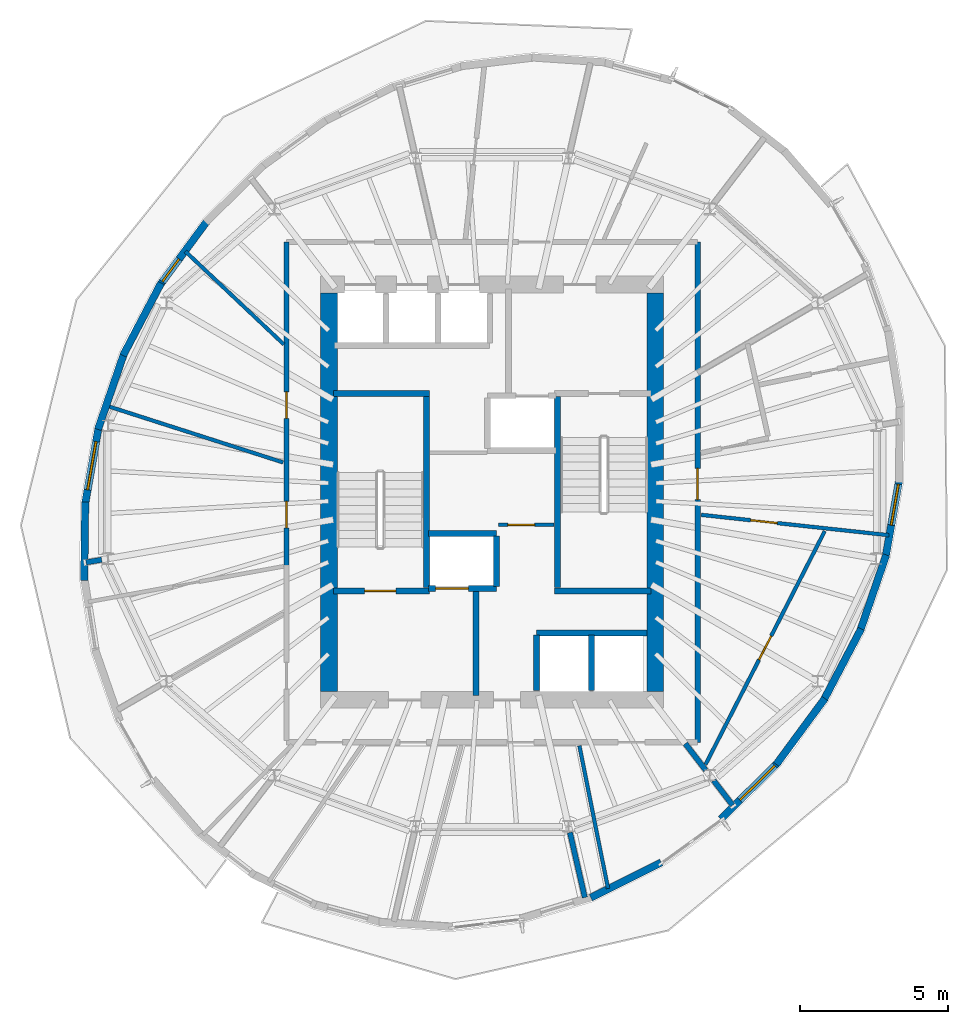
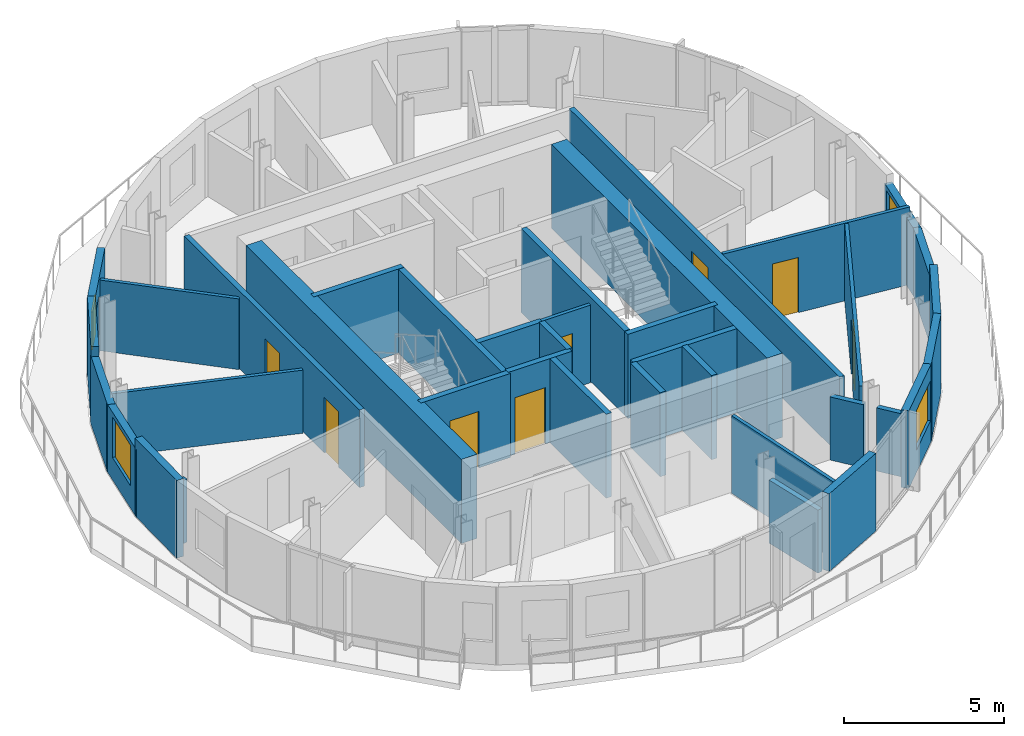
# One storey, part 5 of 9: 37 walls, 8 doors, 4 windows, 12 openings.
"""IFC4 building model written with IfcOpenShell, lengths in metres."""

from ifc_helpers import new_model, si_unit, direction, frame, frame_2d, origin, place, context, subcontext, project, spatial, rectangle, extrude, material, layer, layer_set, type_object, element, fill, save


model = new_model("IFC4")

# Units and contexts
model_context = context("Model", 3, precision=1e-05, world=origin(), true_north=direction((0.0, 1.0)))
body_context = subcontext(model_context, "Body", "Model", "MODEL_VIEW")
ifc_project = project(units=[si_unit("LENGTHUNIT", "METRE"), si_unit("AREAUNIT", "SQUARE_METRE"), si_unit("VOLUMEUNIT", "CUBIC_METRE"), si_unit("PLANEANGLEUNIT", "RADIAN"), si_unit("MASSUNIT", "GRAM", prefix="KILO")], contexts=[model_context])

# Site, building, storey
site_placement = place(None, origin())
site = spatial("IfcSite", under=ifc_project, at=site_placement, CompositionType="ELEMENT")
building_placement = place(site_placement, origin())
building = spatial("IfcBuilding", under=site, at=building_placement, Name="Veldorim Arch Residences", CompositionType="ELEMENT")
storey_placement = place(building_placement, frame((0.0, 0.0, 230.239990234375)))
storey = spatial("IfcBuildingStorey", under=building, at=storey_placement, Name="L69", CompositionType="ELEMENT", Elevation=230.239990234375)

# Wall, opening, door
ifc_material_1 = material(Name="Acoustic Gypsum Board", Category="gypsum")
ifc_layer_1 = layer(ifc_material_1, 0.125, Name="Acoustic Stud Room Partition Wall 125")
ifc_layer_set_1 = layer_set([ifc_layer_1], Name="Acoustic Gypsum Board")
wall_type_1 = type_object("IfcWallType", Name="Acoustic Stud Room Partition Wall 125", PredefinedType="PARTITIONING", material=ifc_layer_set_1)
wall_1_placement = place(storey_placement, frame((32.219970703125, 22.89990234375, 0.0), z_axis=(0.0, 0.0, 1.0), x_axis=(1.0, 0.0, 0.0)))
wall_1 = element("IfcWall", 1, at=wall_1_placement, inside=storey, type_object=wall_type_1, Name="L69 interior wall WL-CA-L69-2", PredefinedType="PARTITIONING", context=body_context, shape_type="SweptSolid", body=[
    extrude(rectangle(XDim=1.860107421875, YDim=0.125, at=frame_2d((0.93017578125, 0.0))), origin(), (0.0, 0.0, 1.0), 2.955078125),
])
opening_1_placement = place(wall_1_placement, frame((0.31005859375, 0.0, 0.0)))
opening_1 = element("IfcOpeningElement", 2, at=opening_1_placement, cuts=wall_1, Name="Opening DR-SVC", PredefinedType="OPENING", context=body_context, shape_type="SweptSolid", body=[
    extrude(rectangle(XDim=0.89990234375, YDim=2.10009765625, at=frame_2d((0.449951171875, 1.050048828125))), frame((0.0, 0.072509765625, 0.0), z_axis=(0.0, -1.0, 0.0), x_axis=(1.0, 0.0, 0.0)), (0.0, 0.0, 1.0), 0.14501953125),
])
ifc_material_2 = material(Name="Fire-Rated Steel", Category="steel")
door_type_1 = type_object("IfcDoorType", Name="Riser, Shelter & Plant Room Rated Steel Door 900x2100", OperationType="SINGLE_SWING_LEFT", PredefinedType="DOOR", material=ifc_material_2)
door_1_placement = place(opening_1_placement, origin())
door_1 = element("IfcDoor", 3, at=door_1_placement, inside=storey, type_object=door_type_1, Name="L69 interior door DR-L69-CA1", OperationType="SINGLE_SWING_RIGHT", OverallHeight=2.10009765625, OverallWidth=0.89990234375, PredefinedType="DOOR", context=body_context, shape_type="SweptSolid", body=[
    extrude(rectangle(XDim=0.89990234375, YDim=2.10009765625, at=frame_2d((0.449951171875, 1.050048828125))), frame((0.0, 0.02490234375, 0.0), z_axis=(0.0, -1.0, 0.0), x_axis=(1.0, 0.0, 0.0)), (0.0, 0.0, 1.0), 0.050048828125),
])
fill(opening_1, door_1)

# Wall
wall_2_placement = place(storey_placement, frame((35.907958984375, 10.637939453125, 0.0), z_axis=(0.0, 0.0, 1.0), x_axis=(-0.196928748325, 0.980417802818, 0.0)))
element("IfcWall", 4, at=wall_2_placement, inside=storey, type_object=wall_type_1, Name="L69 interior wall WL-RES-L69-006", PredefinedType="PARTITIONING", context=body_context, shape_type="SweptSolid", body=[
    extrude(rectangle(XDim=4.91064453125, YDim=0.125, at=frame_2d((2.455322265625, 0.0))), origin(), (0.0, 0.0, 1.0), 2.955078125),
])

# Wall, opening, door
wall_3_placement = place(storey_placement, frame((45.379150390625, 22.548583984375, 0.0), z_axis=(0.0, 0.0, 1.0), x_axis=(-0.994165666964, 0.107863926454, 0.0)))
wall_3 = element("IfcWall", 5, at=wall_3_placement, inside=storey, type_object=wall_type_1, Name="L69 interior wall WL-RES-L69-013", PredefinedType="PARTITIONING", context=body_context, shape_type="SweptSolid", body=[
    extrude(rectangle(XDim=6.366943359375, YDim=0.125, at=frame_2d((3.18359375, 0.0))), origin(), (0.0, 0.0, 1.0), 2.955078125),
])
opening_2_placement = place(wall_3_placement, frame((3.78955078125, 0.0, 0.0)))
opening_2 = element("IfcOpeningElement", 6, at=opening_2_placement, cuts=wall_3, Name="Opening DR-INT", PredefinedType="OPENING", context=body_context, shape_type="SweptSolid", body=[
    extrude(rectangle(XDim=0.89990234375, YDim=2.10009765625, at=frame_2d((0.449951171875, 1.050048828125))), frame((0.0, 0.072509765625, 0.0), z_axis=(0.0, -1.0, 0.0), x_axis=(1.0, 0.0, 0.0)), (0.0, 0.0, 1.0), 0.14501953125),
])
ifc_material_3 = material(Name="Engineered Timber", Category="wood")
door_type_2 = type_object("IfcDoorType", Name="Apartment Internal Room Timber Door 900x2100", OperationType="SINGLE_SWING_LEFT", PredefinedType="DOOR", material=ifc_material_3)
door_2_placement = place(opening_2_placement, origin())
door_2 = element("IfcDoor", 7, at=door_2_placement, inside=storey, type_object=door_type_2, Name="L69 interior door DR-RES-L69-008", OperationType="SINGLE_SWING_RIGHT", OverallHeight=2.10009765625, OverallWidth=0.89990234375, PredefinedType="DOOR", context=body_context, shape_type="SweptSolid", body=[
    extrude(rectangle(XDim=0.89990234375, YDim=2.10009765625, at=frame_2d((0.449951171875, 1.050048828125))), frame((0.0, 0.02490234375, 0.0), z_axis=(0.0, -1.0, 0.0), x_axis=(1.0, 0.0, 0.0)), (0.0, 0.0, 1.0), 0.050048828125),
])
fill(opening_2, door_2)

wall_4_placement = place(storey_placement, frame((43.213623046875, 22.689453125, 0.0), z_axis=(0.0, 0.0, 1.0), x_axis=(-0.45492955231, -0.890527429356, 0.0)))
wall_4 = element("IfcWall", 8, at=wall_4_placement, inside=storey, type_object=wall_type_1, Name="L69 interior wall WL-RES-L69-017", PredefinedType="PARTITIONING", context=body_context, shape_type="SweptSolid", body=[
    extrude(rectangle(XDim=8.84033203125, YDim=0.125, at=frame_2d((4.420166015625, 0.0))), origin(), (0.0, 0.0, 1.0), 2.955078125),
])
opening_3_placement = place(wall_4_placement, frame((3.97021484375, 0.0, 0.0)))
opening_3 = element("IfcOpeningElement", 9, at=opening_3_placement, cuts=wall_4, Name="Opening DR-INT", PredefinedType="OPENING", context=body_context, shape_type="SweptSolid", body=[
    extrude(rectangle(XDim=0.89990234375, YDim=2.10009765625, at=frame_2d((0.449951171875, 1.050048828125))), frame((0.0, 0.072509765625, 0.0), z_axis=(0.0, -1.0, 0.0), x_axis=(1.0, 0.0, 0.0)), (0.0, 0.0, 1.0), 0.14501953125),
])
door_3_placement = place(opening_3_placement, origin())
door_3 = element("IfcDoor", 10, at=door_3_placement, inside=storey, type_object=door_type_2, Name="L69 interior door DR-RES-L69-009", OperationType="SINGLE_SWING_LEFT", OverallHeight=2.10009765625, OverallWidth=0.89990234375, PredefinedType="DOOR", context=body_context, shape_type="SweptSolid", body=[
    extrude(rectangle(XDim=0.89990234375, YDim=2.10009765625, at=frame_2d((0.449951171875, 1.050048828125))), frame((0.0, 0.02490234375, 0.0), z_axis=(0.0, -1.0, 0.0), x_axis=(1.0, 0.0, 0.0)), (0.0, 0.0, 1.0), 0.050048828125),
])
fill(opening_3, door_3)

# Walls
wall_5_placement = place(storey_placement, frame((19.003173828125, 26.9130859375, 0.0), z_axis=(0.0, 0.0, 1.0), x_axis=(0.952120342667, -0.305723491212, 0.0)))
element("IfcWall", 11, at=wall_5_placement, inside=storey, type_object=wall_type_1, Name="L69 interior wall WL-RES-L69-022", PredefinedType="PARTITIONING", context=body_context, shape_type="SweptSolid", body=[
    extrude(rectangle(XDim=6.251953125, YDim=0.125, at=frame_2d((3.1259765625, 0.0))), origin(), (0.0, 0.0, 1.0), 2.4033203125),
])
wall_6_placement = place(storey_placement, frame((21.658203125, 32.118408203125, 0.0), z_axis=(0.0, 0.0, 1.0), x_axis=(0.726945050947, -0.686695633381, 0.0)))
element("IfcWall", 12, at=wall_6_placement, inside=storey, type_object=wall_type_1, Name="L69 interior wall WL-RES-L69-024", PredefinedType="PARTITIONING", context=body_context, shape_type="SweptSolid", body=[
    extrude(rectangle(XDim=4.573486328125, YDim=0.125, at=frame_2d((2.28662109375, 0.0))), origin(), (0.0, 0.0, 1.0), 2.69189453125),
])
ifc_material_4 = material(Name="Lightweight Masonry Block & Gypsum", Category="masonry")
ifc_layer_2 = layer(ifc_material_4, 0.179931640625, Name="Compartment & Corridor Fire-Rated Party Wall 180")
ifc_layer_set_2 = layer_set([ifc_layer_2], Name="Lightweight Masonry Block & Gypsum")
wall_type_2 = type_object("IfcWallType", Name="Compartment & Corridor Fire-Rated Party Wall 180", PredefinedType="PARTITIONING", material=ifc_layer_set_2)
wall_7_placement = place(storey_placement, frame((18.83740234375, 21.722900390625, 0.0), z_axis=(0.0, 0.0, 1.0), x_axis=(-0.985396448878, -0.170275772023, 0.0)))
element("IfcWall", 13, at=wall_7_placement, inside=storey, type_object=wall_type_2, Name="L69 interior wall WL-PIER-L69-09", PredefinedType="PARTITIONING", context=body_context, shape_type="SweptSolid", body=[
    extrude(rectangle(XDim=0.531982421875, YDim=0.179931640625, at=frame_2d((0.26611328125, 0.0))), origin(), (0.0, 0.0, 1.0), 2.4033203125),
])
wall_8_placement = place(storey_placement, frame((34.6240234375, 12.526611328125, 0.0), z_axis=(0.0, 0.0, 1.0), x_axis=(0.223034234637, -0.974810612468, 0.0)))
element("IfcWall", 14, at=wall_8_placement, inside=storey, type_object=wall_type_2, Name="L69 interior wall WL-PIER-L69-13", PredefinedType="PARTITIONING", context=body_context, shape_type="SweptSolid", body=[
    extrude(rectangle(XDim=2.247314453125, YDim=0.179931640625, at=frame_2d((1.12353515625, 0.0))), origin(), (0.0, 0.0, 1.0), 2.4033203125),
])
wall_9_placement = place(storey_placement, frame((39.46728515625, 14.280517578125, 0.0), z_axis=(0.0, 0.0, 1.0), x_axis=(0.609328843401, -0.792917625356, 0.0)))
element("IfcWall", 15, at=wall_9_placement, inside=storey, type_object=wall_type_2, Name="L69 interior wall WL-PIER-L69-14", PredefinedType="PARTITIONING", context=body_context, shape_type="SweptSolid", body=[
    extrude(rectangle(XDim=1.050537109375, YDim=0.179931640625, at=frame_2d((0.525390625, 0.0))), origin(), (0.0, 0.0, 1.0), 2.4033203125),
])

# Wall, opening, door
wall_10_placement = place(storey_placement, frame((38.929931640625, 32.429931640625, 0.0), z_axis=(0.0, 0.0, 1.0), x_axis=(0.0, -1.0, 0.0)))
wall_10 = element("IfcWall", 16, at=wall_10_placement, inside=storey, type_object=wall_type_2, Name="L69 interior wall WL-RES-L69-003", PredefinedType="PARTITIONING", context=body_context, shape_type="SweptSolid", body=[
    extrude(rectangle(XDim=16.85986328125, YDim=0.179931640625, at=frame_2d((8.429931640625, 0.0))), origin(), (0.0, 0.0, 1.0), 2.955078125),
])
opening_4_placement = place(wall_10_placement, frame((7.632080078125, 0.0, 0.0)))
opening_4 = element("IfcOpeningElement", 17, at=opening_4_placement, cuts=wall_10, Name="Opening DR-FLT", PredefinedType="OPENING", context=body_context, shape_type="SweptSolid", body=[
    extrude(rectangle(XDim=1.050048828125, YDim=2.14990234375, at=frame_2d((0.52490234375, 1.074951171875))), frame((0.0, 0.099853515625, 0.0), z_axis=(0.0, -1.0, 0.0), x_axis=(1.0, 0.0, 0.0)), (0.0, 0.0, 1.0), 0.199951171875),
])
ifc_material_5 = material(Name="Fire-Rated Timber", Category="wood")
door_type_3 = type_object("IfcDoorType", Name="Apartment Entrance Solid-Core Fire Door 1050x2150", OperationType="SINGLE_SWING_LEFT", PredefinedType="DOOR", material=ifc_material_5)
door_4_placement = place(opening_4_placement, origin())
door_4 = element("IfcDoor", 18, at=door_4_placement, inside=storey, type_object=door_type_3, Name="L69 interior door DR-RES-L69-006", OperationType="SINGLE_SWING_RIGHT", OverallHeight=2.14990234375, OverallWidth=1.050048828125, PredefinedType="DOOR", context=body_context, shape_type="SweptSolid", body=[
    extrude(rectangle(XDim=1.050048828125, YDim=2.14990234375, at=frame_2d((0.52490234375, 1.074951171875))), frame((0.0, 0.02490234375, 0.0), z_axis=(0.0, -1.0, 0.0), x_axis=(1.0, 0.0, 0.0)), (0.0, 0.0, 1.0), 0.050048828125),
])
fill(opening_4, door_4)

# Wall, openings, doors
wall_11_placement = place(storey_placement, frame((25.070068359375, 21.498291015625, 0.0), z_axis=(0.0, 0.0, 1.0), x_axis=(0.0, 1.0, 0.0)))
wall_11 = element("IfcWall", 19, at=wall_11_placement, inside=storey, type_object=wall_type_2, Name="L69 interior wall WL-RES-L69-005", PredefinedType="PARTITIONING", context=body_context, shape_type="SweptSolid", body=[
    extrude(rectangle(XDim=10.931640625, YDim=0.179931640625, at=frame_2d((5.4658203125, 0.0))), origin(), (0.0, 0.0, 1.0), 2.955078125),
])
opening_5_placement = place(wall_11_placement, frame((1.2939453125, 0.0, 0.0)))
opening_5 = element("IfcOpeningElement", 20, at=opening_5_placement, cuts=wall_11, Name="Opening DR-SVC", PredefinedType="OPENING", context=body_context, shape_type="SweptSolid", body=[
    extrude(rectangle(XDim=0.89990234375, YDim=2.10009765625, at=frame_2d((0.449951171875, 1.050048828125))), frame((0.0, 0.099853515625, 0.0), z_axis=(0.0, -1.0, 0.0), x_axis=(1.0, 0.0, 0.0)), (0.0, 0.0, 1.0), 0.199951171875),
])
opening_6_placement = place(wall_11_placement, frame((4.985595703125, 0.0, 0.0)))
opening_6 = element("IfcOpeningElement", 21, at=opening_6_placement, cuts=wall_11, Name="Opening DR-INT", PredefinedType="OPENING", context=body_context, shape_type="SweptSolid", body=[
    extrude(rectangle(XDim=0.89990234375, YDim=2.10009765625, at=frame_2d((0.449951171875, 1.050048828125))), frame((0.0, 0.099853515625, 0.0), z_axis=(0.0, -1.0, 0.0), x_axis=(1.0, 0.0, 0.0)), (0.0, 0.0, 1.0), 0.199951171875),
])
door_5_placement = place(opening_6_placement, origin())
door_5 = element("IfcDoor", 22, at=door_5_placement, inside=storey, type_object=door_type_2, Name="L69 interior door DR-RES-L69-016", OperationType="SINGLE_SWING_RIGHT", OverallHeight=2.10009765625, OverallWidth=0.89990234375, PredefinedType="DOOR", context=body_context, shape_type="SweptSolid", body=[
    extrude(rectangle(XDim=0.89990234375, YDim=2.10009765625, at=frame_2d((0.449951171875, 1.050048828125))), frame((0.0, 0.02490234375, 0.0), z_axis=(0.0, -1.0, 0.0), x_axis=(1.0, 0.0, 0.0)), (0.0, 0.0, 1.0), 0.050048828125),
])
fill(opening_6, door_5)
door_6_placement = place(opening_5_placement, origin())
door_6 = element("IfcDoor", 23, at=door_6_placement, inside=storey, type_object=door_type_1, Name="L69 interior door DR-RES-L69-015", OperationType="SINGLE_SWING_LEFT", OverallHeight=2.10009765625, OverallWidth=0.89990234375, PredefinedType="DOOR", context=body_context, shape_type="SweptSolid", body=[
    extrude(rectangle(XDim=0.89990234375, YDim=2.10009765625, at=frame_2d((0.449951171875, 1.050048828125))), frame((0.0, 0.02490234375, 0.0), z_axis=(0.0, -1.0, 0.0), x_axis=(1.0, 0.0, 0.0)), (0.0, 0.0, 1.0), 0.050048828125),
])
fill(opening_5, door_6)

# Walls
wall_12_placement = place(storey_placement, frame((38.51318359375, 15.5224609375, 0.0), z_axis=(0.0, 0.0, 1.0), x_axis=(0.609249951785, -0.7929782445, 0.0)))
element("IfcWall", 24, at=wall_12_placement, inside=storey, type_object=wall_type_2, Name="L69 interior wall WL-RES-L69-007", PredefinedType="PARTITIONING", context=body_context, shape_type="SweptSolid", body=[
    extrude(rectangle(XDim=1.126953125, YDim=0.179931640625, at=frame_2d((0.5634765625, 0.0))), origin(), (0.0, 0.0, 1.0), 2.4033203125),
])
ifc_material_6 = material(Name="Concrete C50/60", Category="concrete")
ifc_layer_3 = layer(ifc_material_6, 0.199951171875, Name="Core Stair & Lift Shaft Enclosure Wall 200")
ifc_layer_set_3 = layer_set([ifc_layer_3], Name="Concrete C50/60")
wall_type_3 = type_object("IfcWallType", Name="Core Stair & Lift Shaft Enclosure Wall 200", PredefinedType="SHEAR", material=ifc_layer_set_3)
wall_13_placement = place(storey_placement, frame((29.7900390625, 20.780029296875, 0.0), z_axis=(0.0, 0.0, 1.0), x_axis=(0.0, 1.0, 0.0)))
element("IfcWall", 25, at=wall_13_placement, inside=storey, type_object=wall_type_3, Name="L69 shaft wall WL-SHF-L69-ST1-E", PredefinedType="SHEAR", context=body_context, shape_type="SweptSolid", body=[
    extrude(rectangle(XDim=6.43994140625, YDim=0.199951171875, at=frame_2d((3.219970703125, 0.0))), origin(), (0.0, 0.0, 1.0), 3.199951171875),
])
wall_14_placement = place(storey_placement, frame((26.64990234375, 27.330078125, 0.0), z_axis=(0.0, 0.0, 1.0), x_axis=(1.0, 0.0, 0.0)))
element("IfcWall", 26, at=wall_14_placement, inside=storey, type_object=wall_type_3, Name="L69 shaft wall WL-SHF-L69-ST1-N", PredefinedType="SHEAR", context=body_context, shape_type="SweptSolid", body=[
    extrude(rectangle(XDim=3.239990234375, YDim=0.199951171875, at=frame_2d((1.6201171875, 0.0))), origin(), (0.0, 0.0, 1.0), 3.199951171875),
])

# Wall, opening, door
wall_15_placement = place(storey_placement, frame((26.64990234375, 20.669921875, 0.0), z_axis=(0.0, 0.0, 1.0), x_axis=(1.0, 0.0, 0.0)))
wall_15 = element("IfcWall", 27, at=wall_15_placement, inside=storey, type_object=wall_type_3, Name="L69 shaft wall WL-SHF-L69-ST1-S", PredefinedType="SHEAR", context=body_context, shape_type="SweptSolid", body=[
    extrude(rectangle(XDim=3.239990234375, YDim=0.199951171875, at=frame_2d((1.6201171875, 0.0))), origin(), (0.0, 0.0, 1.0), 3.199951171875),
])
opening_7_placement = place(wall_15_placement, frame((1.054931640625, 0.0, 0.0)))
opening_7 = element("IfcOpeningElement", 28, at=opening_7_placement, cuts=wall_15, Name="Opening DR-ST", PredefinedType="OPENING", context=body_context, shape_type="SweptSolid", body=[
    extrude(rectangle(XDim=1.050048828125, YDim=2.14990234375, at=frame_2d((0.52490234375, 1.074951171875))), frame((0.0, 0.10986328125, 0.0), z_axis=(0.0, -1.0, 0.0), x_axis=(1.0, 0.0, 0.0)), (0.0, 0.0, 1.0), 0.219970703125),
])
ifc_material_7 = material(Name="Fire-Rated Steel", Category="steel")
door_type_4 = type_object("IfcDoorType", Name="Exit Staircase Self-Closing Fire Door 1050x2150", OperationType="SINGLE_SWING_LEFT", PredefinedType="DOOR", material=ifc_material_7)
door_7_placement = place(opening_7_placement, origin())
door_7 = element("IfcDoor", 29, at=door_7_placement, inside=storey, type_object=door_type_4, Name="L69 interior door DR-L69-ST1", OperationType="SINGLE_SWING_LEFT", OverallHeight=2.14990234375, OverallWidth=1.050048828125, PredefinedType="DOOR", context=body_context, shape_type="SweptSolid", body=[
    extrude(rectangle(XDim=1.050048828125, YDim=2.14990234375, at=frame_2d((0.52490234375, 1.074951171875))), frame((0.0, 0.02490234375, 0.0), z_axis=(0.0, -1.0, 0.0), x_axis=(1.0, 0.0, 0.0)), (0.0, 0.0, 1.0), 0.050048828125),
])
fill(opening_7, door_7)

# Walls
wall_16_placement = place(storey_placement, frame((34.2099609375, 20.780029296875, 0.0), z_axis=(0.0, 0.0, 1.0), x_axis=(0.0, 1.0, 0.0)))
element("IfcWall", 30, at=wall_16_placement, inside=storey, type_object=wall_type_3, Name="L69 shaft wall WL-SHF-L69-ST2-W", PredefinedType="SHEAR", context=body_context, shape_type="SweptSolid", body=[
    extrude(rectangle(XDim=6.43994140625, YDim=0.199951171875, at=frame_2d((3.219970703125, 0.0))), origin(), (0.0, 0.0, 1.0), 3.199951171875),
])
wall_17_placement = place(storey_placement, frame((34.110107421875, 20.669921875, 0.0), z_axis=(0.0, 0.0, 1.0), x_axis=(1.0, 0.0, 0.0)))
element("IfcWall", 31, at=wall_17_placement, inside=storey, type_object=wall_type_3, Name="L69 shaft wall WL-SHF-L69-ST2-S", PredefinedType="SHEAR", context=body_context, shape_type="SweptSolid", body=[
    extrude(rectangle(XDim=3.239990234375, YDim=0.199951171875, at=frame_2d((1.6201171875, 0.0))), origin(), (0.0, 0.0, 1.0), 3.199951171875),
])
wall_18_placement = place(storey_placement, frame((31.449951171875, 17.14990234375, 0.0), z_axis=(0.0, 0.0, 1.0), x_axis=(0.0, 1.0, 0.0)))
element("IfcWall", 32, at=wall_18_placement, inside=storey, type_object=wall_type_3, Name="L69 shaft wall WL-FFL1-L69-E", PredefinedType="SHEAR", context=body_context, shape_type="SweptSolid", body=[
    extrude(rectangle(XDim=3.5, YDim=0.199951171875, at=frame_2d((1.75, 0.0))), origin(), (0.0, 0.0, 1.0), 3.199951171875),
])

# Wall, opening, door
wall_19_placement = place(storey_placement, frame((29.85009765625, 20.75, 0.0), z_axis=(0.0, 0.0, 1.0), x_axis=(1.0, 0.0, 0.0)))
wall_19 = element("IfcWall", 33, at=wall_19_placement, inside=storey, type_object=wall_type_3, Name="L69 shaft wall WL-FL01-L69-S", PredefinedType="SHEAR", context=body_context, shape_type="SweptSolid", body=[
    extrude(rectangle(XDim=2.2998046875, YDim=0.199951171875, at=frame_2d((1.14990234375, 0.0))), origin(), (0.0, 0.0, 1.0), 3.199951171875),
])
opening_8_placement = place(wall_19_placement, frame((0.25, 0.0, 0.0)))
opening_8 = element("IfcOpeningElement", 34, at=opening_8_placement, cuts=wall_19, Name="Opening LD-FF", PredefinedType="OPENING", context=body_context, shape_type="SweptSolid", body=[
    extrude(rectangle(XDim=1.10009765625, YDim=2.14990234375, at=frame_2d((0.550048828125, 1.074951171875))), frame((0.0, 0.10986328125, 0.0), z_axis=(0.0, -1.0, 0.0), x_axis=(1.0, 0.0, 0.0)), (0.0, 0.0, 1.0), 0.219970703125),
])
ifc_material_8 = material(Name="Stainless Steel", Category="steel")
door_type_5 = type_object("IfcDoorType", Name="Firefighting Lift Bi-Parting Sliding Landing Door 1100x2150", OperationType="DOUBLE_DOOR_SLIDING", PredefinedType="DOOR", material=ifc_material_8)
door_8_placement = place(opening_8_placement, origin())
door_8 = element("IfcDoor", 35, at=door_8_placement, inside=storey, type_object=door_type_5, Name="L69 lift landing door LD-L69-FL01", OperationType="DOUBLE_DOOR_SLIDING", OverallHeight=2.14990234375, OverallWidth=1.10009765625, PredefinedType="DOOR", context=body_context, shape_type="SweptSolid", body=[
    extrude(rectangle(XDim=1.10009765625, YDim=2.14990234375, at=frame_2d((0.550048828125, 1.074951171875))), frame((0.0, 0.02490234375, 0.0), z_axis=(0.0, -1.0, 0.0), x_axis=(1.0, 0.0, 0.0)), (0.0, 0.0, 1.0), 0.050048828125),
])
fill(opening_8, door_8)

# Walls
wall_20_placement = place(storey_placement, frame((29.85009765625, 22.60009765625, 0.0), z_axis=(0.0, 0.0, 1.0), x_axis=(1.0, 0.0, 0.0)))
element("IfcWall", 36, at=wall_20_placement, inside=storey, type_object=wall_type_3, Name="L69 shaft wall WL-FL01-L69-N", PredefinedType="SHEAR", context=body_context, shape_type="SweptSolid", body=[
    extrude(rectangle(XDim=2.2998046875, YDim=0.199951171875, at=frame_2d((1.14990234375, 0.0))), origin(), (0.0, 0.0, 1.0), 3.199951171875),
])
wall_21_placement = place(storey_placement, frame((32.14990234375, 20.820068359375, 0.0), z_axis=(0.0, 0.0, 1.0), x_axis=(0.0, 1.0, 0.0)))
element("IfcWall", 37, at=wall_21_placement, inside=storey, type_object=wall_type_3, Name="L69 shaft wall WL-FL01-L69-E", PredefinedType="SHEAR", context=body_context, shape_type="SweptSolid", body=[
    extrude(rectangle(XDim=1.7099609375, YDim=0.199951171875, at=frame_2d((0.85498046875, 0.0))), origin(), (0.0, 0.0, 1.0), 3.199951171875),
])
wall_22_placement = place(storey_placement, frame((33.5, 19.25, 0.0), z_axis=(0.0, 0.0, 1.0), x_axis=(1.0, 0.0, 0.0)))
element("IfcWall", 38, at=wall_22_placement, inside=storey, type_object=wall_type_3, Name="L69 shaft wall WL-OL-L69-N", PredefinedType="SHEAR", context=body_context, shape_type="SweptSolid", body=[
    extrude(rectangle(XDim=3.719970703125, YDim=0.199951171875, at=frame_2d((1.85986328125, 0.0))), origin(), (0.0, 0.0, 1.0), 3.199951171875),
])
for number, where, z_axis, x_axis, name in (
    (39, (33.5, 17.320068359375, 0.0), (0.0, 0.0, 1.0), (0.0, 1.0, 0.0), "L69 shaft wall WL-OL-L69-W"),
    (40, (35.35009765625, 17.320068359375, 0.0), (0.0, 0.0, 1.0), (0.0, 1.0, 0.0), "L69 shaft wall WL-OL-L69-D1"),
):
    element("IfcWall", number, at=place(storey_placement, frame(where, z_axis=z_axis, x_axis=x_axis)), inside=storey, type_object=wall_type_3, Name=name, PredefinedType="SHEAR", context=body_context, shape_type="SweptSolid", body=[
        extrude(rectangle(XDim=1.85986328125, YDim=0.199951171875, at=frame_2d((0.929931640625, 0.0))), origin(), (0.0, 0.0, 1.0), 3.199951171875),
    ])

# Wall, opening, window
ifc_material_9 = material(Name="Precast concrete C40/50", Category="concrete")
ifc_layer_4 = layer(ifc_material_9, 0.25, Name="Tower Terracotta Spandrel & Pier Wall 250")
ifc_layer_set_4 = layer_set([ifc_layer_4], Name="Precast concrete C40/50")
wall_type_4 = type_object("IfcWallType", Name="Tower Terracotta Spandrel & Pier Wall 250", PredefinedType="SOLIDWALL", material=ifc_layer_set_4)
wall_23_placement = place(storey_placement, frame((20.78271484375, 30.9560546875, 0.0), z_axis=(0.0, 0.0, 1.0), x_axis=(0.59332282632, 0.804964610258, 0.0)))
wall_23 = element("IfcWall", 41, at=wall_23_placement, inside=storey, type_object=wall_type_4, Name="L69 terracotta facade wall 09", PredefinedType="SOLIDWALL", context=body_context, shape_type="SweptSolid", body=[
    extrude(rectangle(XDim=2.758056640625, YDim=0.25, at=frame_2d((1.37890625, 0.0))), origin(), (0.0, 0.0, 1.0), 2.9599609375),
])
opening_9_placement = place(wall_23_placement, frame((0.175048828125, 0.0, 0.85009765625)))
opening_9 = element("IfcOpeningElement", 42, at=opening_9_placement, cuts=wall_23, Name="Opening WN-05", PredefinedType="OPENING", context=body_context, shape_type="SweptSolid", body=[
    extrude(rectangle(XDim=0.949951171875, YDim=1.449951171875, at=frame_2d((0.47509765625, 0.72509765625))), frame((0.0, 0.135009765625, 0.0), z_axis=(0.0, -1.0, 0.0), x_axis=(1.0, 0.0, 0.0)), (0.0, 0.0, 1.0), 0.27001953125),
])
ifc_material_10 = material(Name="Laminated Low-E Glass", Category="glass")
window_type_1 = type_object("IfcWindowType", Name="Residential Compact Casement Window 950x1450", PartitioningType="SINGLE_PANEL", PredefinedType="WINDOW", material=ifc_material_10)
window_1_placement = place(opening_9_placement, origin())
window_1 = element("IfcWindow", 43, at=window_1_placement, inside=storey, type_object=window_type_1, Name="L69 solar-control facade window 09", OverallHeight=1.449951171875, OverallWidth=0.949951171875, PartitioningType="SINGLE_PANEL", PredefinedType="WINDOW", context=body_context, shape_type="SweptSolid", body=[
    extrude(rectangle(XDim=0.949951171875, YDim=1.449951171875, at=frame_2d((0.47509765625, 0.72509765625))), frame((0.0, 0.030029296875, 0.0), z_axis=(0.0, -1.0, 0.0), x_axis=(1.0, 0.0, 0.0)), (0.0, 0.0, 1.0), 0.06005859375),
])
fill(opening_9, window_1)

# Walls
wall_24_placement = place(storey_placement, frame((19.55908203125, 28.606201171875, 0.0), z_axis=(0.0, 0.0, 1.0), x_axis=(0.464691621097, 0.885472584151, 0.0)))
element("IfcWall", 44, at=wall_24_placement, inside=storey, type_object=wall_type_4, Name="L69 terracotta facade wall 10", PredefinedType="SOLIDWALL", context=body_context, shape_type="SweptSolid", body=[
    extrude(rectangle(XDim=2.7578125, YDim=0.25, at=frame_2d((1.37890625, 0.0))), origin(), (0.0, 0.0, 1.0), 2.9599609375),
])
wall_25_placement = place(storey_placement, frame((18.713623046875, 26.115478515625, 0.0), z_axis=(0.0, 0.0, 1.0), x_axis=(0.324399533492, 0.945920156604, 0.0)))
element("IfcWall", 45, at=wall_25_placement, inside=storey, type_object=wall_type_4, Name="L69 terracotta facade wall 11", PredefinedType="SOLIDWALL", context=body_context, shape_type="SweptSolid", body=[
    extrude(rectangle(XDim=2.73876953125, YDim=0.25, at=frame_2d((1.369384765625, 0.0))), origin(), (0.0, 0.0, 1.0), 2.576904296875),
])

# Wall, opening, window
wall_26_placement = place(storey_placement, frame((18.273193359375, 23.560546875, 0.0), z_axis=(0.0, 0.0, 1.0), x_axis=(0.173156320641, 0.984894354041, 0.0)))
wall_26 = element("IfcWall", 46, at=wall_26_placement, inside=storey, type_object=wall_type_4, Name="L69 terracotta facade wall 12", PredefinedType="SOLIDWALL", context=body_context, shape_type="SweptSolid", body=[
    extrude(rectangle(XDim=2.701416015625, YDim=0.25, at=frame_2d((1.3505859375, 0.0))), origin(), (0.0, 0.0, 1.0), 2.576904296875),
])
opening_10_placement = place(wall_26_placement, frame((0.52587890625, 0.0, 0.85009765625)))
opening_10 = element("IfcOpeningElement", 47, at=opening_10_placement, cuts=wall_26, Name="Opening WN-03", PredefinedType="OPENING", context=body_context, shape_type="SweptSolid", body=[
    extrude(rectangle(XDim=1.64990234375, YDim=1.550048828125, at=frame_2d((0.824951171875, 0.77490234375))), frame((0.0, 0.135009765625, 0.0), z_axis=(0.0, -1.0, 0.0), x_axis=(1.0, 0.0, 0.0)), (0.0, 0.0, 1.0), 0.27001953125),
])
ifc_material_11 = material(Name="Laminated Low-E Glass", Category="glass")
window_type_2 = type_object("IfcWindowType", Name="Residential Wide Window 1650x1550", PartitioningType="SINGLE_PANEL", PredefinedType="WINDOW", material=ifc_material_11)
window_2_placement = place(opening_10_placement, origin())
window_2 = element("IfcWindow", 48, at=window_2_placement, inside=storey, type_object=window_type_2, Name="L69 solar-control facade window 12", OverallHeight=1.550048828125, OverallWidth=1.64990234375, PartitioningType="SINGLE_PANEL", PredefinedType="WINDOW", context=body_context, shape_type="SweptSolid", body=[
    extrude(rectangle(XDim=1.64990234375, YDim=1.550048828125, at=frame_2d((0.824951171875, 0.77490234375))), frame((0.0, 0.030029296875, 0.0), z_axis=(0.0, -1.0, 0.0), x_axis=(1.0, 0.0, 0.0)), (0.0, 0.0, 1.0), 0.06005859375),
])
fill(opening_10, window_2)

# Walls
wall_27_placement = place(storey_placement, frame((18.250732421875, 21.019287109375, 0.0), z_axis=(0.0, 0.0, 1.0), x_axis=(0.01234132771, 0.999923842915, 0.0)))
element("IfcWall", 49, at=wall_27_placement, inside=storey, type_object=wall_type_4, Name="L69 terracotta facade wall 13", PredefinedType="SOLIDWALL", context=body_context, shape_type="SweptSolid", body=[
    extrude(rectangle(XDim=2.65087890625, YDim=0.25, at=frame_2d((1.325439453125, 0.0))), origin(), (0.0, 0.0, 1.0), 2.9599609375),
])
wall_28_placement = place(storey_placement, frame((37.69873046875, 11.51904296875, 0.0), z_axis=(0.0, 0.0, 1.0), x_axis=(-0.893929345503, -0.448207904045, 0.0)))
element("IfcWall", 50, at=wall_28_placement, inside=storey, type_object=wall_type_4, Name="L69 terracotta facade wall 24", PredefinedType="SOLIDWALL", context=body_context, shape_type="SweptSolid", body=[
    extrude(rectangle(XDim=2.651123046875, YDim=0.25, at=frame_2d((1.32568359375, 0.0))), origin(), (0.0, 0.0, 1.0), 2.9599609375),
])

# Wall, opening, window
wall_29_placement = place(storey_placement, frame((41.652099609375, 14.90625, 0.0), z_axis=(0.0, 0.0, 1.0), x_axis=(-0.709065267838, -0.705142854991, 0.0)))
wall_29 = element("IfcWall", 51, at=wall_29_placement, inside=storey, type_object=wall_type_4, Name="L69 terracotta facade wall 26", PredefinedType="SOLIDWALL", context=body_context, shape_type="SweptSolid", body=[
    extrude(rectangle(XDim=2.73876953125, YDim=0.25, at=frame_2d((1.369384765625, 0.0))), origin(), (0.0, 0.0, 1.0), 2.9599609375),
])
opening_11_placement = place(wall_29_placement, frame((0.175048828125, 0.0, 0.85009765625)))
opening_11 = element("IfcOpeningElement", 52, at=opening_11_placement, cuts=wall_29, Name="Opening WN-03", PredefinedType="OPENING", context=body_context, shape_type="SweptSolid", body=[
    extrude(rectangle(XDim=1.64990234375, YDim=1.52001953125, at=frame_2d((0.824951171875, 0.760009765625))), frame((0.0, 0.135009765625, 0.0), z_axis=(0.0, -1.0, 0.0), x_axis=(1.0, 0.0, 0.0)), (0.0, 0.0, 1.0), 0.27001953125),
])
window_3_placement = place(opening_11_placement, origin())
window_3 = element("IfcWindow", 53, at=window_3_placement, inside=storey, type_object=window_type_2, Name="L69 solar-control facade window 26", OverallHeight=1.52001953125, OverallWidth=1.64990234375, PartitioningType="SINGLE_PANEL", PredefinedType="WINDOW", context=body_context, shape_type="SweptSolid", body=[
    extrude(rectangle(XDim=1.64990234375, YDim=1.52001953125, at=frame_2d((0.824951171875, 0.760009765625))), frame((0.0, 0.030029296875, 0.0), z_axis=(0.0, -1.0, 0.0), x_axis=(1.0, 0.0, 0.0)), (0.0, 0.0, 1.0), 0.06005859375),
])
fill(opening_11, window_3)

# Walls
wall_30_placement = place(storey_placement, frame((43.21728515625, 17.0439453125, 0.0), z_axis=(0.0, 0.0, 1.0), x_axis=(-0.59332282632, -0.804964610258, 0.0)))
element("IfcWall", 54, at=wall_30_placement, inside=storey, type_object=wall_type_4, Name="L69 terracotta facade wall 27", PredefinedType="SOLIDWALL", context=body_context, shape_type="SweptSolid", body=[
    extrude(rectangle(XDim=2.758056640625, YDim=0.25, at=frame_2d((1.37890625, 0.0))), origin(), (0.0, 0.0, 1.0), 2.9599609375),
])
wall_31_placement = place(storey_placement, frame((44.44091796875, 19.393798828125, 0.0), z_axis=(0.0, 0.0, 1.0), x_axis=(-0.464691621097, -0.885472584151, 0.0)))
element("IfcWall", 55, at=wall_31_placement, inside=storey, type_object=wall_type_4, Name="L69 terracotta facade wall 28", PredefinedType="SOLIDWALL", context=body_context, shape_type="SweptSolid", body=[
    extrude(rectangle(XDim=2.7578125, YDim=0.25, at=frame_2d((1.37890625, 0.0))), origin(), (0.0, 0.0, 1.0), 2.9599609375),
])
wall_32_placement = place(storey_placement, frame((45.286376953125, 21.884521484375, 0.0), z_axis=(0.0, 0.0, 1.0), x_axis=(-0.324399533492, -0.945920156604, 0.0)))
element("IfcWall", 56, at=wall_32_placement, inside=storey, type_object=wall_type_4, Name="L69 terracotta facade wall 29", PredefinedType="SOLIDWALL", context=body_context, shape_type="SweptSolid", body=[
    extrude(rectangle(XDim=2.73876953125, YDim=0.25, at=frame_2d((1.369384765625, 0.0))), origin(), (0.0, 0.0, 1.0), 2.576904296875),
])

# Wall, opening, window
wall_33_placement = place(storey_placement, frame((45.726806640625, 24.439453125, 0.0), z_axis=(0.0, 0.0, 1.0), x_axis=(-0.173156320641, -0.984894354041, 0.0)))
wall_33 = element("IfcWall", 57, at=wall_33_placement, inside=storey, type_object=wall_type_4, Name="L69 terracotta facade wall 30", PredefinedType="SOLIDWALL", context=body_context, shape_type="SweptSolid", body=[
    extrude(rectangle(XDim=2.701416015625, YDim=0.25, at=frame_2d((1.3505859375, 0.0))), origin(), (0.0, 0.0, 1.0), 2.576904296875),
])
opening_12_placement = place(wall_33_placement, frame((0.175048828125, 0.0, 0.85009765625)))
opening_12 = element("IfcOpeningElement", 58, at=opening_12_placement, cuts=wall_33, Name="Opening WN-02", PredefinedType="OPENING", context=body_context, shape_type="SweptSolid", body=[
    extrude(rectangle(XDim=1.39990234375, YDim=1.550048828125, at=frame_2d((0.699951171875, 0.77490234375))), frame((0.0, 0.135009765625, 0.0), z_axis=(0.0, -1.0, 0.0), x_axis=(1.0, 0.0, 0.0)), (0.0, 0.0, 1.0), 0.27001953125),
])
ifc_material_12 = material(Name="Laminated Low-E Glass", Category="glass")
window_type_3 = type_object("IfcWindowType", Name="Residential Casement Window 1400x1550", PartitioningType="SINGLE_PANEL", PredefinedType="WINDOW", material=ifc_material_12)
window_4_placement = place(opening_12_placement, origin())
window_4 = element("IfcWindow", 59, at=window_4_placement, inside=storey, type_object=window_type_3, Name="L69 solar-control facade window 30", OverallHeight=1.550048828125, OverallWidth=1.39990234375, PartitioningType="SINGLE_PANEL", PredefinedType="WINDOW", context=body_context, shape_type="SweptSolid", body=[
    extrude(rectangle(XDim=1.39990234375, YDim=1.550048828125, at=frame_2d((0.699951171875, 0.77490234375))), frame((0.0, 0.030029296875, 0.0), z_axis=(0.0, -1.0, 0.0), x_axis=(1.0, 0.0, 0.0)), (0.0, 0.0, 1.0), 0.06005859375),
])
fill(opening_12, window_4)

# Walls
ifc_material_13 = material(Name="Concrete C50/60", Category="concrete")
ifc_layer_5 = layer(ifc_material_13, 0.5, Name="Upper Central Core Shear Wall 560")
ifc_layer_set_5 = layer_set([ifc_layer_5], Name="Concrete C50/60")
wall_type_5 = type_object("IfcWallType", Name="Upper Central Core Shear Wall 560", PredefinedType="SHEAR", material=ifc_layer_set_5)
for number, where, z_axis, x_axis, name in (
    (60, (26.5, 17.280029296875, 0.0), (0.0, 0.0, 1.0), (0.0, 1.0, 0.0), "L69 central core west shear wall"),
    (61, (37.5, 17.280029296875, 0.0), (0.0, 0.0, 1.0), (0.0, 1.0, 0.0), "L69 central core east shear wall"),
):
    element("IfcWall", number, at=place(storey_placement, frame(where, z_axis=z_axis, x_axis=x_axis)), inside=storey, type_object=wall_type_5, Name=name, PredefinedType="SHEAR", context=body_context, shape_type="SweptSolid", body=[
        extrude(rectangle(XDim=13.43994140625, YDim=0.56005859375, at=frame_2d((6.719970703125, 0.0))), origin(), (0.0, 0.0, 1.0), 3.199951171875),
    ])

save(model, "model.ifc")
